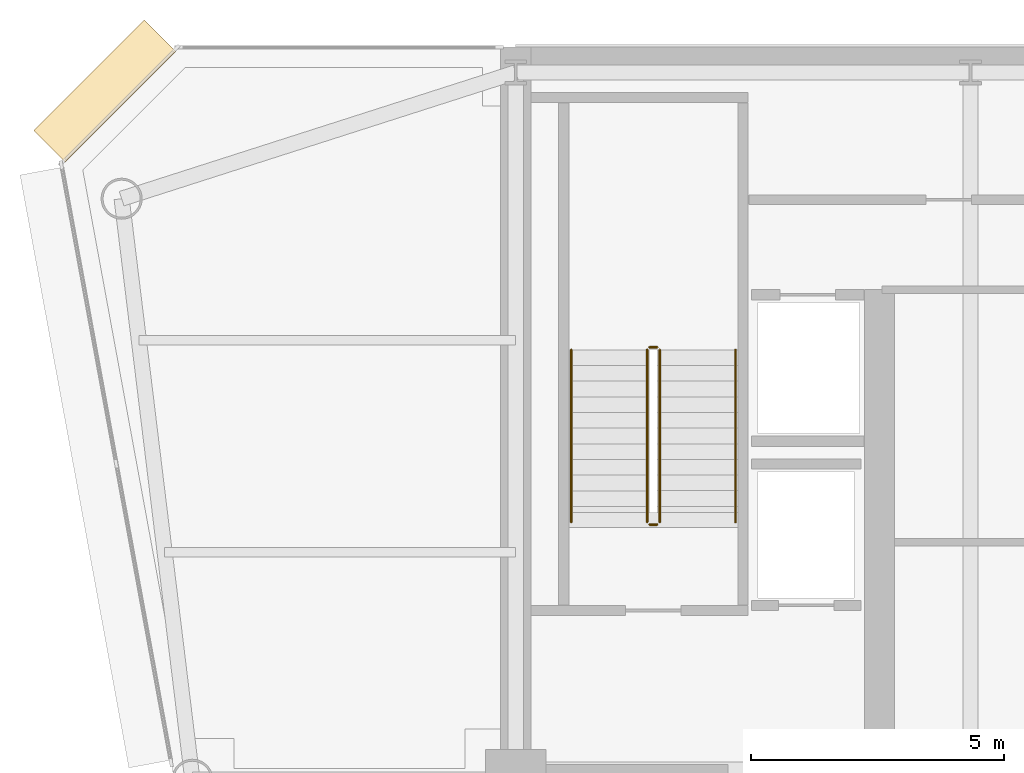
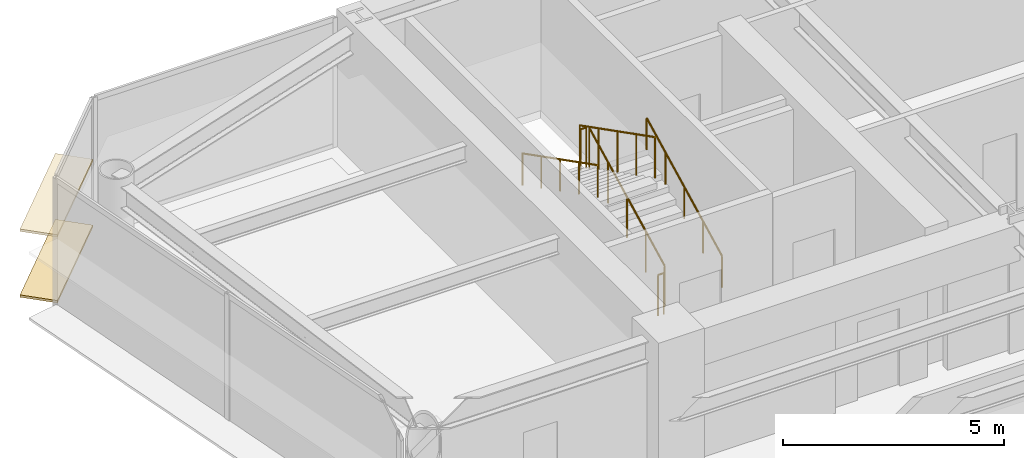
# One storey, part 15 of 17: 6 railings, 2 coverings.
"""IFC4 building model written with IfcOpenShell, lengths in metres."""

from ifc_helpers import new_model, si_unit, direction, frame, origin, origin_2d, place, context, subcontext, project, spatial, rectangle, circle, extrude, source, transform, mapped, material, layer, layer_set, type_object, element, save


model = new_model("IFC4")

# Units and contexts
model_context = context("Model", 3, precision=1e-05, world=origin(), true_north=direction((0.0, 1.0)))
body_context = subcontext(model_context, "Body", "Model", "MODEL_VIEW")
ifc_project = project(units=[si_unit("LENGTHUNIT", "METRE"), si_unit("AREAUNIT", "SQUARE_METRE"), si_unit("VOLUMEUNIT", "CUBIC_METRE"), si_unit("PLANEANGLEUNIT", "RADIAN"), si_unit("MASSUNIT", "GRAM", prefix="KILO")], contexts=[model_context])

# Site, building, storey
site_placement = place(None, origin())
site = spatial("IfcSite", under=ifc_project, at=site_placement, CompositionType="ELEMENT")
building_placement = place(site_placement, origin())
building = spatial("IfcBuilding", under=site, at=building_placement, Name="Vaeldorn Concourse Tower", CompositionType="ELEMENT")
storey_placement = place(building_placement, frame((0.0, 0.0, 180.39990234375)))
storey = spatial("IfcBuildingStorey", under=building, at=storey_placement, Name="L46", CompositionType="ELEMENT", Elevation=180.39990234375)

# Railings
ifc_material = material(Name="Anodised Bronze Aluminium", Category="aluminium")
railing_type_1 = type_object("IfcRailingType", Name="RL-STAIR-GUARD", PredefinedType="GUARDRAIL", material=ifc_material)
railing_1_placement = place(storey_placement, frame((16.85009765625, 41.60009765625, 0.158447265625)))
element("IfcRailing", 1, at=railing_1_placement, inside=storey, type_object=railing_type_1, Name="L46 ST-1 stair guard 1", PredefinedType="GUARDRAIL", context=body_context, shape_type="SweptSolid", body=[
    extrude(circle(Radius=0.02392578125, at=origin_2d()), frame((0.0, 0.0, 1.1259765625), z_axis=(0.0, 0.890555807335, 0.454873997962), x_axis=(-1.0, 0.0, 0.0)), (0.0, 0.0, 1.0), 3.828857421875),
    extrude(circle(Radius=0.02099609375, at=origin_2d()), origin(), (0.0, 0.0, 1.0), 1.101806640625),
    extrude(circle(Radius=0.02099609375, at=origin_2d()), frame((0.0, 0.8525390625, 0.435546875)), (0.0, 0.0, 1.0), 1.101806640625),
    extrude(circle(Radius=0.02099609375, at=origin_2d()), frame((0.0, 1.705078125, 0.870849609375)), (0.0, 0.0, 1.0), 1.101806640625),
    extrude(circle(Radius=0.02099609375, at=origin_2d()), frame((0.0, 2.557373046875, 1.30615234375)), (0.0, 0.0, 1.0), 1.101806640625),
    extrude(circle(Radius=0.02099609375, at=origin_2d()), frame((0.0, 3.409912109375, 1.74169921875)), (0.0, 0.0, 1.0), 1.101806640625),
])
railing_2_placement = place(storey_placement, frame((16.800048828125, 45.06005859375, 1.900146484375)))
element("IfcRailing", 2, at=railing_2_placement, inside=storey, type_object=railing_type_1, Name="L46 ST-1 stair guard 2", PredefinedType="GUARDRAIL", context=body_context, shape_type="SweptSolid", body=[
    extrude(circle(Radius=0.02392578125, at=origin_2d()), frame((0.0, 0.0, 1.1259765625), z_axis=(-1.0, 0.0, 0.0), x_axis=(0.0, -1.0, 0.0)), (0.0, 0.0, 1.0), 0.150146484375),
    extrude(circle(Radius=0.02099609375, at=origin_2d()), origin(), (0.0, 0.0, 1.0), 1.101806640625),
    extrude(circle(Radius=0.02099609375, at=origin_2d()), frame((-0.150146484375, 0.0, 0.0)), (0.0, 0.0, 1.0), 1.101806640625),
])
railing_3_placement = place(storey_placement, frame((16.60009765625, 45.010009765625, 2.058349609375)))
element("IfcRailing", 3, at=railing_3_placement, inside=storey, type_object=railing_type_1, Name="L46 ST-1 stair guard 3", PredefinedType="GUARDRAIL", context=body_context, shape_type="SweptSolid", body=[
    extrude(circle(Radius=0.02392578125, at=origin_2d()), frame((0.0, 0.0, 1.1259765625), z_axis=(0.0, -0.890555807335, 0.454873997962), x_axis=(1.0, 0.0, 0.0)), (0.0, 0.0, 1.0), 3.828857421875),
    extrude(circle(Radius=0.02099609375, at=origin_2d()), origin(), (0.0, 0.0, 1.0), 1.101806640625),
    extrude(circle(Radius=0.02099609375, at=origin_2d()), frame((0.0, -0.8525390625, 0.435546875)), (0.0, 0.0, 1.0), 1.101806640625),
    extrude(circle(Radius=0.02099609375, at=origin_2d()), frame((0.0, -1.705078125, 0.870849609375)), (0.0, 0.0, 1.0), 1.101806640625),
    extrude(circle(Radius=0.02099609375, at=origin_2d()), frame((0.0, -2.557373046875, 1.30615234375)), (0.0, 0.0, 1.0), 1.101806640625),
    extrude(circle(Radius=0.02099609375, at=origin_2d()), frame((0.0, -3.409912109375, 1.74169921875)), (0.0, 0.0, 1.0), 1.101806640625),
])
railing_4_placement = place(storey_placement, frame((16.800048828125, 41.550048828125, 0.0)))
element("IfcRailing", 4, at=railing_4_placement, inside=storey, type_object=railing_type_1, Name="L46 ST-1 stair guard 4", PredefinedType="GUARDRAIL", context=body_context, shape_type="SweptSolid", body=[
    extrude(circle(Radius=0.02392578125, at=origin_2d()), frame((0.0, 0.0, 1.1259765625), z_axis=(-1.0, 0.0, 0.0), x_axis=(0.0, -1.0, 0.0)), (0.0, 0.0, 1.0), 0.150146484375),
    extrude(circle(Radius=0.02099609375, at=origin_2d()), origin(), (0.0, 0.0, 1.0), 1.101806640625),
    extrude(circle(Radius=0.02099609375, at=origin_2d()), frame((-0.150146484375, 0.0, 0.0)), (0.0, 0.0, 1.0), 1.101806640625),
])
railing_type_2 = type_object("IfcRailingType", Name="RL-STAIR-HANDRAIL", PredefinedType="HANDRAIL", material=ifc_material)
railing_5_placement = place(storey_placement, frame((18.35009765625, 41.60009765625, 0.158447265625)))
element("IfcRailing", 5, at=railing_5_placement, inside=storey, type_object=railing_type_2, Name="L46 ST-1 stair handrail 1", PredefinedType="HANDRAIL", context=body_context, shape_type="SweptSolid", body=[
    extrude(circle(Radius=0.02392578125, at=origin_2d()), frame((0.0, 0.0, 0.8759765625), z_axis=(0.0, 0.890555807335, 0.454873997962), x_axis=(-1.0, 0.0, 0.0)), (0.0, 0.0, 1.0), 3.828857421875),
    extrude(circle(Radius=0.02099609375, at=origin_2d()), origin(), (0.0, 0.0, 1.0), 0.851806640625),
    extrude(circle(Radius=0.02099609375, at=origin_2d()), frame((0.0, 0.8525390625, 0.435546875)), (0.0, 0.0, 1.0), 0.851806640625),
    extrude(circle(Radius=0.02099609375, at=origin_2d()), frame((0.0, 1.705078125, 0.870849609375)), (0.0, 0.0, 1.0), 0.851806640625),
    extrude(circle(Radius=0.02099609375, at=origin_2d()), frame((0.0, 2.557373046875, 1.30615234375)), (0.0, 0.0, 1.0), 0.851806640625),
    extrude(circle(Radius=0.02099609375, at=origin_2d()), frame((0.0, 3.409912109375, 1.74169921875)), (0.0, 0.0, 1.0), 0.851806640625),
])
railing_6_placement = place(storey_placement, frame((15.10009765625, 45.010009765625, 2.058349609375)))
element("IfcRailing", 6, at=railing_6_placement, inside=storey, type_object=railing_type_2, Name="L46 ST-1 stair handrail 2", PredefinedType="HANDRAIL", context=body_context, shape_type="SweptSolid", body=[
    extrude(circle(Radius=0.02392578125, at=origin_2d()), frame((0.0, 0.0, 0.8759765625), z_axis=(0.0, -0.890555807335, 0.454873997962), x_axis=(1.0, 0.0, 0.0)), (0.0, 0.0, 1.0), 3.828857421875),
    extrude(circle(Radius=0.02099609375, at=origin_2d()), origin(), (0.0, 0.0, 1.0), 0.851806640625),
    extrude(circle(Radius=0.02099609375, at=origin_2d()), frame((0.0, -0.8525390625, 0.435546875)), (0.0, 0.0, 1.0), 0.851806640625),
    extrude(circle(Radius=0.02099609375, at=origin_2d()), frame((0.0, -1.705078125, 0.870849609375)), (0.0, 0.0, 1.0), 0.851806640625),
    extrude(circle(Radius=0.02099609375, at=origin_2d()), frame((0.0, -2.557373046875, 1.30615234375)), (0.0, 0.0, 1.0), 0.851806640625),
    extrude(circle(Radius=0.02099609375, at=origin_2d()), frame((0.0, -3.409912109375, 1.74169921875)), (0.0, 0.0, 1.0), 0.851806640625),
])

# Coverings
ifc_layer = layer(ifc_material, 0.06494140625)
ifc_layer_set = layer_set([ifc_layer], Name="Anodised Bronze Aluminium")
covering_type = type_object("IfcCoveringType", Name="SD-BRONZE-SUNSHADE", PredefinedType="USERDEFINED", material=ifc_layer_set)
shared_shape = source(origin(), body_context, "Body", "SweptSolid", [
    extrude(rectangle(XDim=3.0927734375, YDim=0.8798828125, at=origin_2d()), origin(), (0.0, 0.0, 1.0), 0.06494140625),
])
for number, where, z_axis, x_axis, name in (
    (7, (5.8671875, 50.1328125, 0.047607421875), (0.0, 0.0, 1.0), (-0.707106781187, -0.707106781187, 0.0), "Horizontal Bronze Sunshade L46-E10.1.1"),
    (8, (5.8671875, 50.1328125, 1.86767578125), (0.0, 0.0, 1.0), (-0.707106781187, -0.707106781187, 0.0), "Horizontal Bronze Sunshade L46-E10.1.2"),
):
    element("IfcCovering", number, at=place(storey_placement, frame(where, z_axis=z_axis, x_axis=x_axis)), inside=storey, type_object=covering_type, Name=name, ObjectType="SUNSHADE", PredefinedType="USERDEFINED", context=body_context, shape_type="MappedRepresentation", body=[
        mapped(shared_shape, transform((0.0, 0.0, 0.0), scale=1.0)),
    ])

save(model, "model.ifc")
